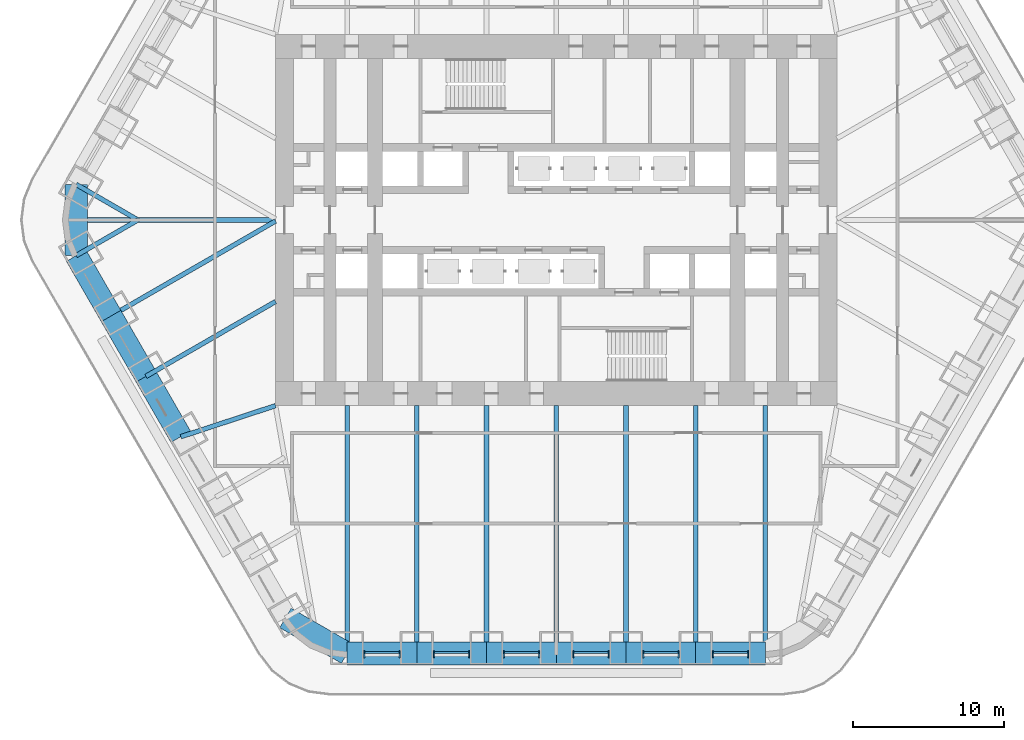
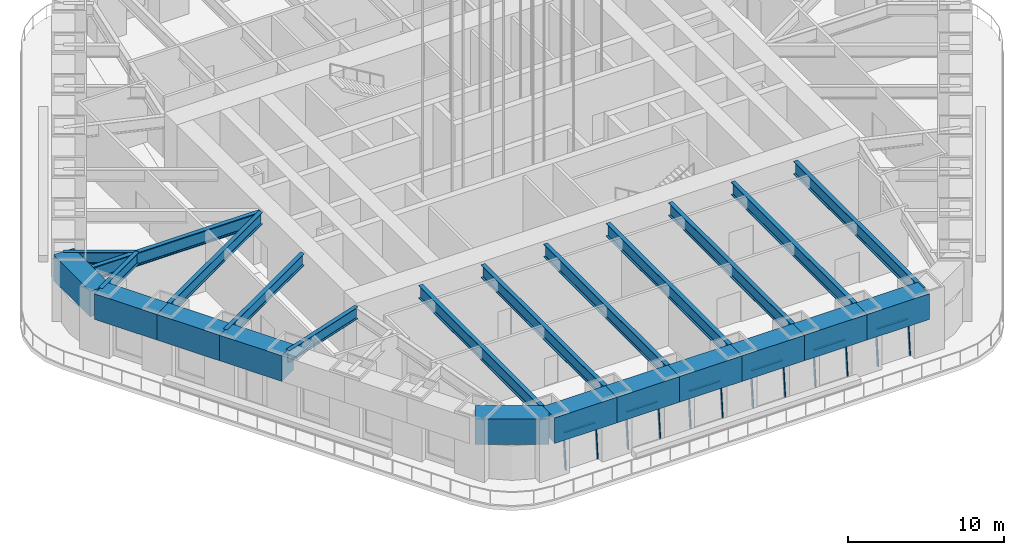
# One storey, part 2 of 15: 24 beams, 18 members, 6 elements without a shape of their own.
"""IFC4 building model written with IfcOpenShell, lengths in metres."""

from ifc_helpers import new_model, si_unit, direction, frame, origin, origin_2d, place, context, subcontext, project, spatial, rectangle, i_section, extrude, material, material_profile, profile_set, type_object, element, aggregate, save


model = new_model("IFC4")

# Units and contexts
model_context = context("Model", 3, precision=1e-05, world=origin(), true_north=direction((0.0, 1.0)))
body_context = subcontext(model_context, "Body", "Model", "MODEL_VIEW")
ifc_project = project(units=[si_unit("LENGTHUNIT", "METRE"), si_unit("AREAUNIT", "SQUARE_METRE"), si_unit("VOLUMEUNIT", "CUBIC_METRE"), si_unit("PLANEANGLEUNIT", "RADIAN"), si_unit("MASSUNIT", "GRAM", prefix="KILO")], contexts=[model_context])

# Site, building, storey
site_placement = place(None, origin())
site = spatial("IfcSite", under=ifc_project, at=site_placement, CompositionType="ELEMENT")
building_placement = place(site_placement, origin())
building = spatial("IfcBuilding", under=site, at=building_placement, Name="Tarfa Lantern Tower", CompositionType="ELEMENT")
storey_placement = place(building_placement, frame((0.0, 0.0, 210.5)))
storey = spatial("IfcBuildingStorey", under=building, at=storey_placement, Name="L47", CompositionType="ELEMENT", Elevation=210.5)

# Curtain wall, members
ifc_material_1 = material(Name="Aluminium framed curtain wall", Category="aluminium")
curtain_wall_type = type_object("IfcCurtainWallType", Name="CW5 CANTED GLAZING SKY LOBBY 2800", PredefinedType="USERDEFINED", material=ifc_material_1)
curtain_wall_1_placement = place(storey_placement, origin())
curtain_wall_1 = element("IfcCurtainWall", 1, at=curtain_wall_1_placement, inside=storey, type_object=curtain_wall_type, Name="CW5 S L47", ObjectType="CURTAIN WALL", PredefinedType="USERDEFINED")
ifc_material_2 = material(Name="Aluminium mullion", Category="aluminium")
ifc_material_profile_1 = material_profile(ifc_material_2, rectangle(XDim=0.06494140625, YDim=0.199951171875, at=origin_2d()), Name="AL MULLION 65x200")
ifc_profile_set_1 = profile_set([ifc_material_profile_1], Name="Aluminium mullion")
member_type_1 = type_object("IfcMemberType", Name="CWM1 MULLION 65x200", PredefinedType="MULLION", material=ifc_profile_set_1)
member_1_placement = place(storey_placement, frame((-12.723876953125, -28.89990234375, 0.0), z_axis=(0.0, 0.088930399417, 0.996037842685), x_axis=(-1.0, 0.0, 0.0)))
member_1 = element("IfcMember", 2, at=member_1_placement, type_object=member_type_1, Name="CW5 mullion 1", PredefinedType="MULLION", context=body_context, shape_type="SweptSolid", body=[
    extrude(rectangle(XDim=0.06494140625, YDim=0.199951171875, at=origin_2d()), origin(), (0.0, 0.0, 1.0), 2.811279296875),
])
member_2_placement = place(storey_placement, frame((-10.3701171875, -28.89990234375, 0.0), z_axis=(0.0, 0.088930399417, 0.996037842685), x_axis=(-1.0, 0.0, 0.0)))
member_2 = element("IfcMember", 3, at=member_2_placement, type_object=member_type_1, Name="CW5 mullion 2", PredefinedType="MULLION", context=body_context, shape_type="SweptSolid", body=[
    extrude(rectangle(XDim=0.06494140625, YDim=0.199951171875, at=origin_2d()), origin(), (0.0, 0.0, 1.0), 2.811279296875),
])

curtain_wall_2_placement = place(storey_placement, origin())
curtain_wall_2 = element("IfcCurtainWall", 4, at=curtain_wall_2_placement, inside=storey, type_object=curtain_wall_type, Name="CW5 S L47", ObjectType="CURTAIN WALL", PredefinedType="USERDEFINED")
member_3_placement = place(storey_placement, frame((-8.105224609375, -28.89990234375, 0.0), z_axis=(0.0, 0.088930399417, 0.996037842685), x_axis=(-1.0, 0.0, 0.0)))
member_3 = element("IfcMember", 5, at=member_3_placement, type_object=member_type_1, Name="CW5 mullion 1", PredefinedType="MULLION", context=body_context, shape_type="SweptSolid", body=[
    extrude(rectangle(XDim=0.06494140625, YDim=0.199951171875, at=origin_2d()), origin(), (0.0, 0.0, 1.0), 2.811279296875),
])
member_4_placement = place(storey_placement, frame((-5.751220703125, -28.89990234375, 0.0), z_axis=(0.0, 0.088930399417, 0.996037842685), x_axis=(-1.0, 0.0, 0.0)))
member_4 = element("IfcMember", 6, at=member_4_placement, type_object=member_type_1, Name="CW5 mullion 2", PredefinedType="MULLION", context=body_context, shape_type="SweptSolid", body=[
    extrude(rectangle(XDim=0.06494140625, YDim=0.199951171875, at=origin_2d()), origin(), (0.0, 0.0, 1.0), 2.811279296875),
])

curtain_wall_3_placement = place(storey_placement, origin())
curtain_wall_3 = element("IfcCurtainWall", 7, at=curtain_wall_3_placement, inside=storey, type_object=curtain_wall_type, Name="CW5 S L47", ObjectType="CURTAIN WALL", PredefinedType="USERDEFINED")
member_5_placement = place(storey_placement, frame((-3.486328125, -28.89990234375, 0.0), z_axis=(0.0, 0.088930399417, 0.996037842685), x_axis=(-1.0, 0.0, 0.0)))
member_5 = element("IfcMember", 8, at=member_5_placement, type_object=member_type_1, Name="CW5 mullion 1", PredefinedType="MULLION", context=body_context, shape_type="SweptSolid", body=[
    extrude(rectangle(XDim=0.06494140625, YDim=0.199951171875, at=origin_2d()), origin(), (0.0, 0.0, 1.0), 2.811279296875),
])
member_6_placement = place(storey_placement, frame((-1.132568359375, -28.89990234375, 0.0), z_axis=(0.0, 0.088930399417, 0.996037842685), x_axis=(-1.0, 0.0, 0.0)))
member_6 = element("IfcMember", 9, at=member_6_placement, type_object=member_type_1, Name="CW5 mullion 2", PredefinedType="MULLION", context=body_context, shape_type="SweptSolid", body=[
    extrude(rectangle(XDim=0.06494140625, YDim=0.199951171875, at=origin_2d()), origin(), (0.0, 0.0, 1.0), 2.811279296875),
])

curtain_wall_4_placement = place(storey_placement, origin())
curtain_wall_4 = element("IfcCurtainWall", 10, at=curtain_wall_4_placement, inside=storey, type_object=curtain_wall_type, Name="CW5 S L47", ObjectType="CURTAIN WALL", PredefinedType="USERDEFINED")
member_7_placement = place(storey_placement, frame((1.132568359375, -28.89990234375, 0.0), z_axis=(0.0, 0.088930399417, 0.996037842685), x_axis=(-1.0, 0.0, 0.0)))
member_7 = element("IfcMember", 11, at=member_7_placement, type_object=member_type_1, Name="CW5 mullion 1", PredefinedType="MULLION", context=body_context, shape_type="SweptSolid", body=[
    extrude(rectangle(XDim=0.06494140625, YDim=0.199951171875, at=origin_2d()), origin(), (0.0, 0.0, 1.0), 2.811279296875),
])
member_8_placement = place(storey_placement, frame((3.486328125, -28.89990234375, 0.0), z_axis=(0.0, 0.088930399417, 0.996037842685), x_axis=(-1.0, 0.0, 0.0)))
member_8 = element("IfcMember", 12, at=member_8_placement, type_object=member_type_1, Name="CW5 mullion 2", PredefinedType="MULLION", context=body_context, shape_type="SweptSolid", body=[
    extrude(rectangle(XDim=0.06494140625, YDim=0.199951171875, at=origin_2d()), origin(), (0.0, 0.0, 1.0), 2.811279296875),
])

curtain_wall_5_placement = place(storey_placement, origin())
curtain_wall_5 = element("IfcCurtainWall", 13, at=curtain_wall_5_placement, inside=storey, type_object=curtain_wall_type, Name="CW5 S L47", ObjectType="CURTAIN WALL", PredefinedType="USERDEFINED")
member_9_placement = place(storey_placement, frame((5.751220703125, -28.89990234375, 0.0), z_axis=(0.0, 0.088930399417, 0.996037842685), x_axis=(-1.0, 0.0, 0.0)))
member_9 = element("IfcMember", 14, at=member_9_placement, type_object=member_type_1, Name="CW5 mullion 1", PredefinedType="MULLION", context=body_context, shape_type="SweptSolid", body=[
    extrude(rectangle(XDim=0.06494140625, YDim=0.199951171875, at=origin_2d()), origin(), (0.0, 0.0, 1.0), 2.811279296875),
])
member_10_placement = place(storey_placement, frame((8.105224609375, -28.89990234375, 0.0), z_axis=(0.0, 0.088930399417, 0.996037842685), x_axis=(-1.0, 0.0, 0.0)))
member_10 = element("IfcMember", 15, at=member_10_placement, type_object=member_type_1, Name="CW5 mullion 2", PredefinedType="MULLION", context=body_context, shape_type="SweptSolid", body=[
    extrude(rectangle(XDim=0.06494140625, YDim=0.199951171875, at=origin_2d()), origin(), (0.0, 0.0, 1.0), 2.811279296875),
])

curtain_wall_6_placement = place(storey_placement, origin())
curtain_wall_6 = element("IfcCurtainWall", 16, at=curtain_wall_6_placement, inside=storey, type_object=curtain_wall_type, Name="CW5 S L47", ObjectType="CURTAIN WALL", PredefinedType="USERDEFINED")
member_11_placement = place(storey_placement, frame((10.3701171875, -28.89990234375, 0.0), z_axis=(0.0, 0.088930399417, 0.996037842685), x_axis=(-1.0, 0.0, 0.0)))
member_11 = element("IfcMember", 17, at=member_11_placement, type_object=member_type_1, Name="CW5 mullion 1", PredefinedType="MULLION", context=body_context, shape_type="SweptSolid", body=[
    extrude(rectangle(XDim=0.06494140625, YDim=0.199951171875, at=origin_2d()), origin(), (0.0, 0.0, 1.0), 2.811279296875),
])
member_12_placement = place(storey_placement, frame((12.723876953125, -28.89990234375, 0.0), z_axis=(0.0, 0.088930399417, 0.996037842685), x_axis=(-1.0, 0.0, 0.0)))
member_12 = element("IfcMember", 18, at=member_12_placement, type_object=member_type_1, Name="CW5 mullion 2", PredefinedType="MULLION", context=body_context, shape_type="SweptSolid", body=[
    extrude(rectangle(XDim=0.06494140625, YDim=0.199951171875, at=origin_2d()), origin(), (0.0, 0.0, 1.0), 2.811279296875),
])

# Member
ifc_material_3 = material(Name="Aluminium transom", Category="aluminium")
ifc_material_profile_2 = material_profile(ifc_material_3, rectangle(XDim=0.14990234375, YDim=0.06494140625, at=origin_2d()), Name="AL TRANSOM 150x65")
ifc_profile_set_2 = profile_set([ifc_material_profile_2], Name="Aluminium transom")
member_type_2 = type_object("IfcMemberType", Name="CWT1 TRANSOM 150x65", PredefinedType="USERDEFINED", material=ifc_profile_set_2)
member_13_placement = place(storey_placement, frame((-12.69140625, -28.65283203125, 2.767578125), z_axis=(1.0, 0.0, 0.0), x_axis=(0.0, 1.0, 0.0)))
member_13 = element("IfcMember", 19, at=member_13_placement, type_object=member_type_2, Name="CW5 transom 1.2", ObjectType="TRANSOM", PredefinedType="USERDEFINED", context=body_context, shape_type="SweptSolid", body=[
    extrude(rectangle(XDim=0.14990234375, YDim=0.06494140625, at=origin_2d()), origin(), (0.0, 0.0, 1.0), 2.288818359375),
])

aggregate(curtain_wall_1, [member_1, member_2, member_13])

member_14_placement = place(storey_placement, frame((-8.072509765625, -28.65283203125, 2.767578125), z_axis=(1.0, 0.0, 0.0), x_axis=(0.0, 1.0, 0.0)))
member_14 = element("IfcMember", 20, at=member_14_placement, type_object=member_type_2, Name="CW5 transom 1.2", ObjectType="TRANSOM", PredefinedType="USERDEFINED", context=body_context, shape_type="SweptSolid", body=[
    extrude(rectangle(XDim=0.14990234375, YDim=0.06494140625, at=origin_2d()), origin(), (0.0, 0.0, 1.0), 2.288818359375),
])

aggregate(curtain_wall_2, [member_3, member_4, member_14])

member_15_placement = place(storey_placement, frame((-3.453857421875, -28.65283203125, 2.767578125), z_axis=(1.0, 0.0, 0.0), x_axis=(0.0, 1.0, 0.0)))
member_15 = element("IfcMember", 21, at=member_15_placement, type_object=member_type_2, Name="CW5 transom 1.2", ObjectType="TRANSOM", PredefinedType="USERDEFINED", context=body_context, shape_type="SweptSolid", body=[
    extrude(rectangle(XDim=0.14990234375, YDim=0.06494140625, at=origin_2d()), origin(), (0.0, 0.0, 1.0), 2.288818359375),
])

aggregate(curtain_wall_3, [member_5, member_6, member_15])

member_16_placement = place(storey_placement, frame((1.1650390625, -28.65283203125, 2.767578125), z_axis=(1.0, 0.0, 0.0), x_axis=(0.0, 1.0, 0.0)))
member_16 = element("IfcMember", 22, at=member_16_placement, type_object=member_type_2, Name="CW5 transom 1.2", ObjectType="TRANSOM", PredefinedType="USERDEFINED", context=body_context, shape_type="SweptSolid", body=[
    extrude(rectangle(XDim=0.14990234375, YDim=0.06494140625, at=origin_2d()), origin(), (0.0, 0.0, 1.0), 2.288818359375),
])

aggregate(curtain_wall_4, [member_7, member_8, member_16])

member_17_placement = place(storey_placement, frame((5.78369140625, -28.65283203125, 2.767578125), z_axis=(1.0, 0.0, 0.0), x_axis=(0.0, 1.0, 0.0)))
member_17 = element("IfcMember", 23, at=member_17_placement, type_object=member_type_2, Name="CW5 transom 1.2", ObjectType="TRANSOM", PredefinedType="USERDEFINED", context=body_context, shape_type="SweptSolid", body=[
    extrude(rectangle(XDim=0.14990234375, YDim=0.06494140625, at=origin_2d()), origin(), (0.0, 0.0, 1.0), 2.288818359375),
])

aggregate(curtain_wall_5, [member_9, member_10, member_17])

member_18_placement = place(storey_placement, frame((10.402587890625, -28.65283203125, 2.767578125), z_axis=(1.0, 0.0, 0.0), x_axis=(0.0, 1.0, 0.0)))
member_18 = element("IfcMember", 24, at=member_18_placement, type_object=member_type_2, Name="CW5 transom 1.2", ObjectType="TRANSOM", PredefinedType="USERDEFINED", context=body_context, shape_type="SweptSolid", body=[
    extrude(rectangle(XDim=0.14990234375, YDim=0.06494140625, at=origin_2d()), origin(), (0.0, 0.0, 1.0), 2.288818359375),
])

aggregate(curtain_wall_6, [member_11, member_12, member_18])

# Beams
ifc_material_4 = material(Name="Concrete C80/95", Category="concrete")
ifc_material_profile_3 = material_profile(ifc_material_4, rectangle(XDim=1.5, YDim=2.0, at=origin_2d()), Name="RC 1500x2000")
ifc_profile_set_3 = profile_set([ifc_material_profile_3], Name="Concrete C80/95")
beam_type_1 = type_object("IfcBeamType", Name="RB3 RC 1500x2000", PredefinedType="BEAM", material=ifc_profile_set_3)
beam_1_placement = place(storey_placement, frame((-31.800537109375, 2.360107421875, 3.800048828125), z_axis=(0.0, -1.0, 0.0), x_axis=(1.0, 0.0, 0.0)))
element("IfcBeam", 25, at=beam_1_placement, inside=storey, type_object=beam_type_1, Name="Edge beam NW6", PredefinedType="BEAM", context=body_context, shape_type="SweptSolid", body=[
    extrude(rectangle(XDim=1.5, YDim=2.0, at=origin_2d()), origin(), (0.0, 0.0, 1.0), 4.72021484375),
])
beam_2_placement = place(storey_placement, frame((-31.800537109375, -2.360107421875, 3.800048828125), z_axis=(0.500027479704, -0.866009537788, 0.0), x_axis=(0.866009537788, 0.500027479704, 0.0)))
element("IfcBeam", 26, at=beam_2_placement, inside=storey, type_object=beam_type_1, Name="Edge beam SW0", PredefinedType="BEAM", context=body_context, shape_type="SweptSolid", body=[
    extrude(rectangle(XDim=1.5, YDim=2.0, at=origin_2d()), origin(), (0.0, 0.0, 1.0), 4.618896484375),
])
for number, where, z_axis, x_axis, name in (
    (27, (-29.490966796875, -6.360107421875, 3.800048828125), (0.499987836815, -0.866032426089, 0.0), (0.866032426089, 0.499987836815, 0.0), "Edge beam SW1"),
    (28, (-27.181640625, -10.360107421875, 3.800048828125), (0.499987836815, -0.866032426089, 0.0), (0.866032426089, 0.499987836815, 0.0), "Edge beam SW2"),
):
    element("IfcBeam", number, at=place(storey_placement, frame(where, z_axis=z_axis, x_axis=x_axis)), inside=storey, type_object=beam_type_1, Name=name, PredefinedType="BEAM", context=body_context, shape_type="SweptSolid", body=[
        extrude(rectangle(XDim=1.5, YDim=2.0, at=origin_2d()), origin(), (0.0, 0.0, 1.0), 4.61865234375),
    ])
beam_3_placement = place(storey_placement, frame((-17.944091796875, -26.360107421875, 3.800048828125), z_axis=(0.866038294681, -0.499977671647, 0.0), x_axis=(0.499977671647, 0.866038294681, 0.0)))
element("IfcBeam", 29, at=beam_3_placement, inside=storey, type_object=beam_type_1, Name="Edge beam SW6", PredefinedType="BEAM", context=body_context, shape_type="SweptSolid", body=[
    extrude(rectangle(XDim=1.5, YDim=2.0, at=origin_2d()), origin(), (0.0, 0.0, 1.0), 4.719970703125),
])
beam_4_placement = place(storey_placement, frame((-13.8564453125, -28.719970703125, 3.800048828125), z_axis=(1.0, 0.0, 0.0), x_axis=(0.0, 1.0, 0.0)))
element("IfcBeam", 30, at=beam_4_placement, inside=storey, type_object=beam_type_1, Name="Edge beam S0", PredefinedType="BEAM", context=body_context, shape_type="SweptSolid", body=[
    extrude(rectangle(XDim=1.5, YDim=2.0, at=origin_2d()), origin(), (0.0, 0.0, 1.0), 4.618896484375),
])
beam_5_placement = place(storey_placement, frame((-9.237548828125, -28.719970703125, 3.800048828125), z_axis=(1.0, 0.0, 0.0), x_axis=(0.0, 1.0, 0.0)))
element("IfcBeam", 31, at=beam_5_placement, inside=storey, type_object=beam_type_1, Name="Edge beam S1", PredefinedType="BEAM", context=body_context, shape_type="SweptSolid", body=[
    extrude(rectangle(XDim=1.5, YDim=2.0, at=origin_2d()), origin(), (0.0, 0.0, 1.0), 4.61865234375),
])
for number, where, z_axis, x_axis, name in (
    (32, (-4.618896484375, -28.719970703125, 3.800048828125), (1.0, 0.0, 0.0), (0.0, 1.0, 0.0), "Edge beam S2"),
    (33, (0.0, -28.719970703125, 3.800048828125), (1.0, 0.0, 0.0), (0.0, 1.0, 0.0), "Edge beam S3"),
):
    element("IfcBeam", number, at=place(storey_placement, frame(where, z_axis=z_axis, x_axis=x_axis)), inside=storey, type_object=beam_type_1, Name=name, PredefinedType="BEAM", context=body_context, shape_type="SweptSolid", body=[
        extrude(rectangle(XDim=1.5, YDim=2.0, at=origin_2d()), origin(), (0.0, 0.0, 1.0), 4.618896484375),
    ])
beam_6_placement = place(storey_placement, frame((4.618896484375, -28.719970703125, 3.800048828125), z_axis=(1.0, 0.0, 0.0), x_axis=(0.0, 1.0, 0.0)))
element("IfcBeam", 34, at=beam_6_placement, inside=storey, type_object=beam_type_1, Name="Edge beam S4", PredefinedType="BEAM", context=body_context, shape_type="SweptSolid", body=[
    extrude(rectangle(XDim=1.5, YDim=2.0, at=origin_2d()), origin(), (0.0, 0.0, 1.0), 4.61865234375),
])
beam_7_placement = place(storey_placement, frame((9.237548828125, -28.719970703125, 3.800048828125), z_axis=(1.0, 0.0, 0.0), x_axis=(0.0, 1.0, 0.0)))
element("IfcBeam", 35, at=beam_7_placement, inside=storey, type_object=beam_type_1, Name="Edge beam S5", PredefinedType="BEAM", context=body_context, shape_type="SweptSolid", body=[
    extrude(rectangle(XDim=1.5, YDim=2.0, at=origin_2d()), origin(), (0.0, 0.0, 1.0), 4.618896484375),
])
ifc_material_5 = material(Name="Steel S460M", Category="steel")
ifc_material_profile_4 = material_profile(ifc_material_5, i_section(OverallWidth=0.302001953125, OverallDepth=1.008056640625, WebThickness=0.02099609375, FlangeThickness=0.0400390625, FilletRadius=0.030029296875, at=origin_2d()), Name="UB1016x305x349")
ifc_profile_set_4 = profile_set([ifc_material_profile_4], Name="Steel S460M")
beam_type_2 = type_object("IfcBeamType", Name="UB1016x305x349", PredefinedType="BEAM", material=ifc_profile_set_4)
for number, where, z_axis, x_axis, name in (
    (36, (-13.8564453125, -28.719970703125, 4.2958984375), (0.0, 1.0, 0.0), (-1.0, 0.0, 0.0), "Floor beam S0"),
    (37, (-9.237548828125, -28.719970703125, 4.2958984375), (0.0, 1.0, 0.0), (-1.0, 0.0, 0.0), "Floor beam S1"),
    (38, (-4.618896484375, -28.719970703125, 4.2958984375), (0.0, 1.0, 0.0), (-1.0, 0.0, 0.0), "Floor beam S2"),
    (39, (0.0, -28.719970703125, 4.2958984375), (0.0, 1.0, 0.0), (-1.0, 0.0, 0.0), "Floor beam S3"),
    (40, (4.618896484375, -28.719970703125, 4.2958984375), (0.0, 1.0, 0.0), (-1.0, 0.0, 0.0), "Floor beam S4"),
    (41, (9.237548828125, -28.719970703125, 4.2958984375), (0.0, 1.0, 0.0), (-1.0, 0.0, 0.0), "Floor beam S5"),
    (42, (13.8564453125, -28.719970703125, 4.2958984375), (0.0, 1.0, 0.0), (-1.0, 0.0, 0.0), "Floor beam S6"),
):
    element("IfcBeam", number, at=place(storey_placement, frame(where, z_axis=z_axis, x_axis=x_axis)), inside=storey, type_object=beam_type_2, Name=name, PredefinedType="BEAM", context=body_context, shape_type="SweptSolid", body=[
        extrude(i_section(OverallWidth=0.302001953125, OverallDepth=1.008056640625, WebThickness=0.02099609375, FlangeThickness=0.0400390625, FilletRadius=0.030029296875, at=origin_2d()), origin(), (0.0, 0.0, 1.0), 16.419921875),
    ])
ifc_material_profile_5 = material_profile(ifc_material_5, i_section(OverallWidth=0.314208984375, OverallDepth=1.055908203125, WebThickness=0.035888671875, FlangeThickness=0.06396484375, FilletRadius=0.030029296875, at=origin_2d()), Name="UB1016x305x584")
ifc_profile_set_5 = profile_set([ifc_material_profile_5], Name="Steel S460M")
beam_type_3 = type_object("IfcBeamType", Name="UB1016x305x584", PredefinedType="BEAM", material=ifc_profile_set_5)
beam_8_placement = place(storey_placement, frame((-18.60009765625, 0.0, 4.27197265625), z_axis=(-1.0, 0.0, 0.0), x_axis=(0.0, -1.0, 0.0)))
element("IfcBeam", 43, at=beam_8_placement, inside=storey, type_object=beam_type_3, Name="Hip girder W", PredefinedType="BEAM", context=body_context, shape_type="SweptSolid", body=[
    extrude(i_section(OverallWidth=0.314208984375, OverallDepth=1.055908203125, WebThickness=0.035888671875, FlangeThickness=0.06396484375, FilletRadius=0.030029296875, at=origin_2d()), origin(), (0.0, 0.0, 1.0), 13.200439453125),
])
ifc_material_profile_6 = material_profile(ifc_material_5, i_section(OverallWidth=0.305419921875, OverallDepth=0.91845703125, WebThickness=0.017333984375, FlangeThickness=0.02783203125, FilletRadius=0.01904296875, at=origin_2d()), Name="UB914x305x253")
ifc_profile_set_6 = profile_set([ifc_material_profile_6], Name="Steel S460M")
beam_type_4 = type_object("IfcBeamType", Name="UB914x305x253", PredefinedType="BEAM", material=ifc_profile_set_6)
for number, where, z_axis, x_axis, name in (
    (44, (-31.800537109375, 2.360107421875, 4.3408203125), (0.866015897305, -0.500016465344, 0.0), (0.500016465344, 0.866015897305, 0.0), "Floor beam NW6"),
    (45, (-31.800537109375, -2.360107421875, 4.3408203125), (0.866015897305, 0.500016465344, 0.0), (-0.500016465344, 0.866015897305, 0.0), "Floor beam SW0"),
):
    element("IfcBeam", number, at=place(storey_placement, frame(where, z_axis=z_axis, x_axis=x_axis)), inside=storey, type_object=beam_type_4, Name=name, PredefinedType="BEAM", context=body_context, shape_type="SweptSolid", body=[
        extrude(i_section(OverallWidth=0.305419921875, OverallDepth=0.91845703125, WebThickness=0.017333984375, FlangeThickness=0.02783203125, FilletRadius=0.01904296875, at=origin_2d()), origin(), (0.0, 0.0, 1.0), 4.719970703125),
    ])
beam_9_placement = place(storey_placement, frame((-29.490966796875, -6.360107421875, 4.3408203125), z_axis=(0.866017150015, 0.500014295675, 0.0), x_axis=(-0.500014295675, 0.866017150015, 0.0)))
element("IfcBeam", 46, at=beam_9_placement, inside=storey, type_object=beam_type_4, Name="Floor beam SW1", PredefinedType="BEAM", context=body_context, shape_type="SweptSolid", body=[
    extrude(i_section(OverallWidth=0.305419921875, OverallDepth=0.91845703125, WebThickness=0.017333984375, FlangeThickness=0.02783203125, FilletRadius=0.01904296875, at=origin_2d()), origin(), (0.0, 0.0, 1.0), 12.575927734375),
])
beam_10_placement = place(storey_placement, frame((-27.181640625, -10.360107421875, 4.3408203125), z_axis=(0.866013262469, 0.500021028785, 0.0), x_axis=(-0.500021028785, 0.866013262469, 0.0)))
element("IfcBeam", 47, at=beam_10_placement, inside=storey, type_object=beam_type_4, Name="Floor beam SW2", PredefinedType="BEAM", context=body_context, shape_type="SweptSolid", body=[
    extrude(i_section(OverallWidth=0.305419921875, OverallDepth=0.91845703125, WebThickness=0.017333984375, FlangeThickness=0.02783203125, FilletRadius=0.01904296875, at=origin_2d()), origin(), (0.0, 0.0, 1.0), 9.9091796875),
])
beam_11_placement = place(storey_placement, frame((-24.872314453125, -14.360107421875, 4.3408203125), z_axis=(0.950068246314, 0.312042188408, 0.0), x_axis=(-0.312042188408, 0.950068246314, 0.0)))
element("IfcBeam", 48, at=beam_11_placement, inside=storey, type_object=beam_type_4, Name="Floor beam SW3", PredefinedType="BEAM", context=body_context, shape_type="SweptSolid", body=[
    extrude(i_section(OverallWidth=0.305419921875, OverallDepth=0.91845703125, WebThickness=0.017333984375, FlangeThickness=0.02783203125, FilletRadius=0.01904296875, at=origin_2d()), origin(), (0.0, 0.0, 1.0), 6.601806640625),
])

save(model, "model.ifc")
